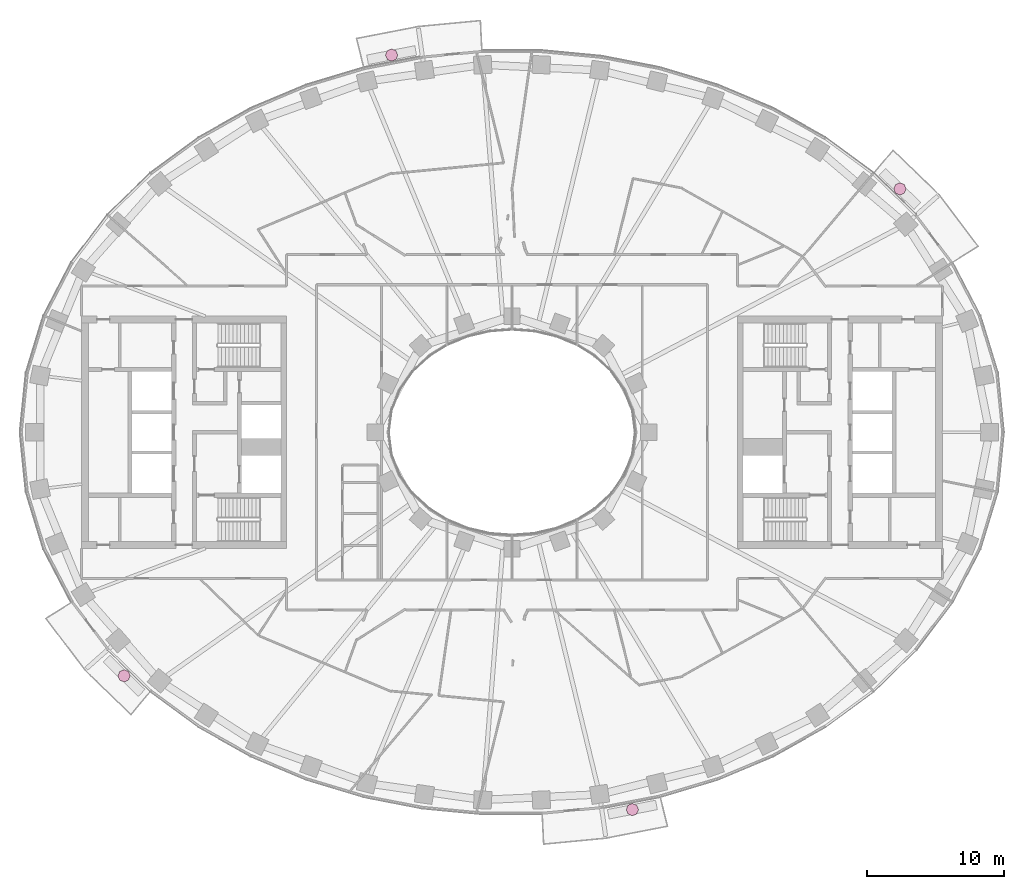
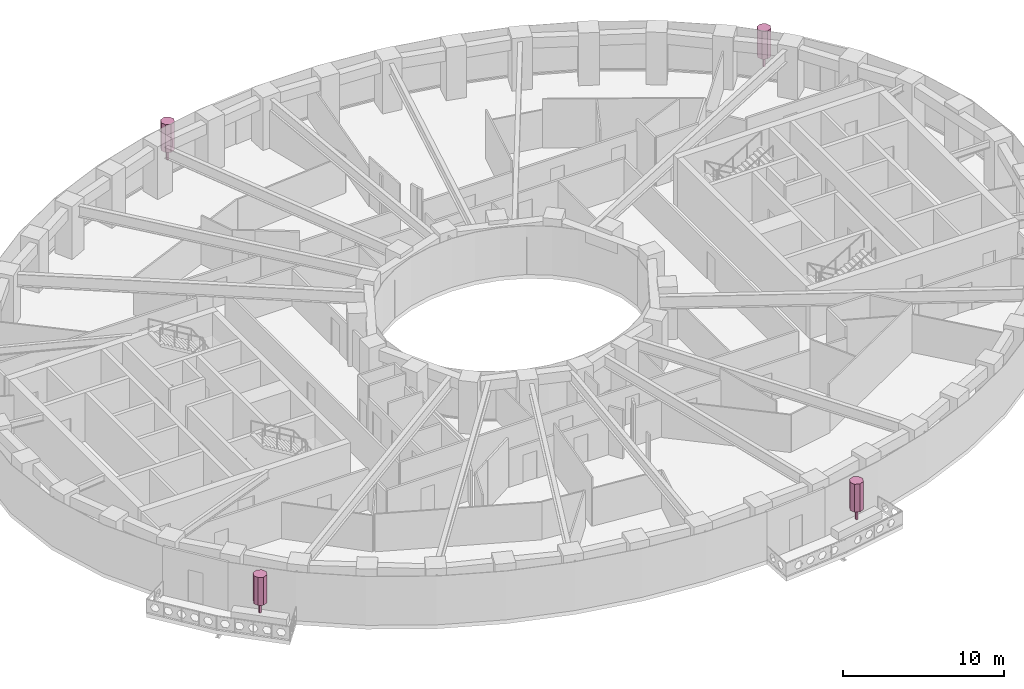
# One storey, part 16 of 16: 4 furnishings.
"""IFC4 building model written with IfcOpenShell, lengths in metres."""

from ifc_helpers import new_model, si_unit, direction, frame, origin, origin_2d, place, context, subcontext, project, spatial, polyline, rectangle, outline, extrude, material, type_object, element, save


model = new_model("IFC4")

# Units and contexts
model_context = context("Model", 3, precision=1e-05, world=origin(), true_north=direction((0.0, 1.0)))
body_context = subcontext(model_context, "Body", "Model", "MODEL_VIEW")
ifc_project = project(units=[si_unit("LENGTHUNIT", "METRE"), si_unit("AREAUNIT", "SQUARE_METRE"), si_unit("VOLUMEUNIT", "CUBIC_METRE"), si_unit("PLANEANGLEUNIT", "RADIAN"), si_unit("MASSUNIT", "GRAM", prefix="KILO")], contexts=[model_context])

# Site, building, storey
site_placement = place(None, origin())
site = spatial("IfcSite", under=ifc_project, at=site_placement, CompositionType="ELEMENT")
building_placement = place(site_placement, origin())
building = spatial("IfcBuilding", under=site, at=building_placement, Name="Noorbagh Ring Tower", CompositionType="ELEMENT")
storey_placement = place(building_placement, frame((0.0, 0.0, 96.0)))
storey = spatial("IfcBuildingStorey", under=building, at=storey_placement, Name="L21", CompositionType="ELEMENT", Elevation=96.0)

# Furnishings
ifc_material = material(Name="Planting foliage green")
furnishing_element_type = type_object("IfcFurnishingElementType", Name="ENV-TREE", material=ifc_material)
for number, where, z_axis, x_axis, name in (
    (1, (28.3837890625, 17.814208984375, 0.60009765625), (0.0, 0.0, 1.0), (1.0, 0.0, 0.0), "Tree BN01"),
    (2, (-8.807861328125, 27.603515625, 0.60009765625), (0.0, 0.0, 1.0), (1.0, 0.0, 0.0), "Tree BN04"),
    (3, (-28.3837890625, -17.814208984375, 0.60009765625), (0.0, 0.0, 1.0), (1.0, 0.0, 0.0), "Tree BS01"),
    (4, (8.807861328125, -27.603515625, 0.60009765625), (0.0, 0.0, 1.0), (1.0, 0.0, 0.0), "Tree BS04"),
):
    element("IfcFurnishingElement", number, at=place(storey_placement, frame(where, z_axis=z_axis, x_axis=x_axis)), inside=storey, type_object=furnishing_element_type, Name=name, context=body_context, shape_type="SweptSolid", body=[
        extrude(rectangle(XDim=0.1201171875, YDim=0.1201171875, at=origin_2d()), origin(), (0.0, 0.0, 1.0), 0.825927734375),
        extrude(outline(polyline([(0.449951171875, 0.0), (0.318115234375, 0.318115234375), (0.0, 0.449951171875), (-0.318115234375, 0.318115234375), (-0.449951171875, 0.0), (-0.318115234375, -0.318115234375), (0.0, -0.449951171875), (0.318115234375, -0.318115234375), (0.449951171875, 0.0)])), frame((0.0, 0.0, 0.825927734375)), (0.0, 0.0, 1.0), 2.1240234375),
    ])

save(model, "model.ifc")
